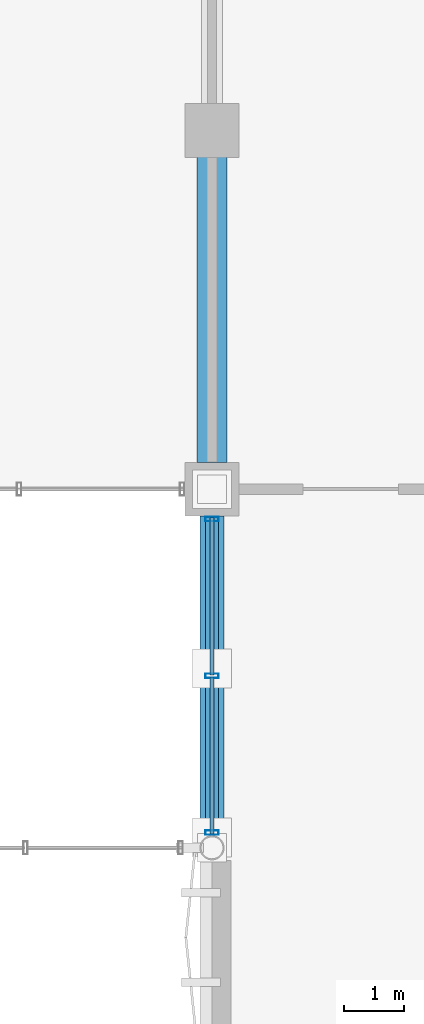
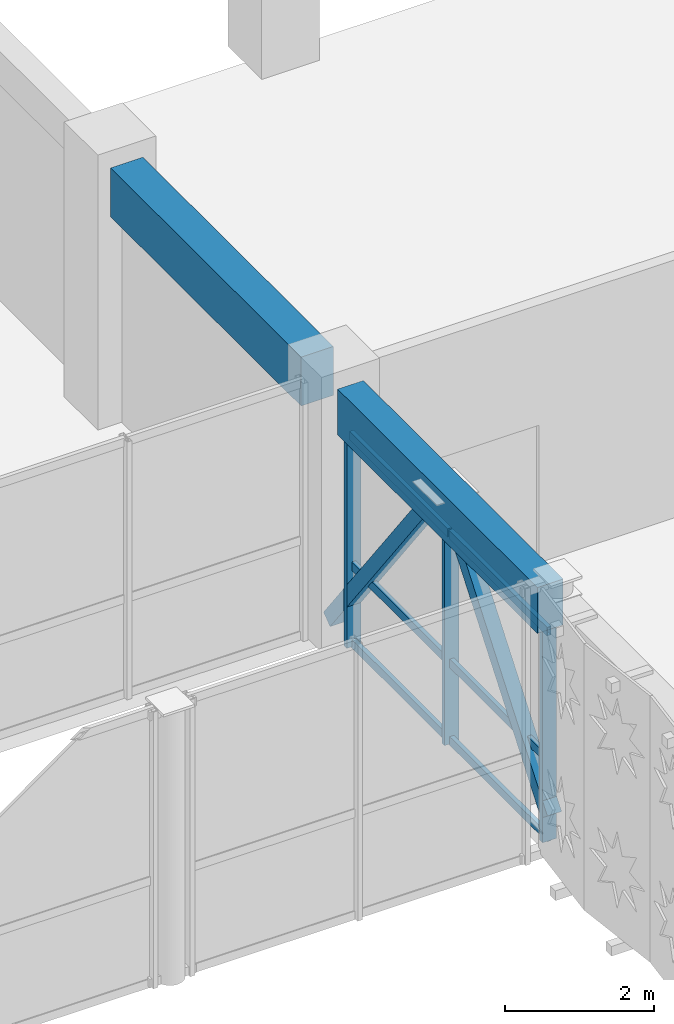
# One storey, part 26 of 133: 11 members, 2 beams, 1 element without a shape of its own.
"""IFC4 building model written with IfcOpenShell, lengths in metres."""

from ifc_helpers import new_model, si_unit, direction, frame, origin, origin_2d, place, context, subcontext, project, spatial, rectangle, hollow_rectangle, extrude, material, material_profile, profile_set, type_object, element, aggregate, save


model = new_model("IFC4")

# Units and contexts
model_context = context("Model", 3, precision=1e-05, world=origin(), true_north=direction((0.0, 1.0)))
body_context = subcontext(model_context, "Body", "Model", "MODEL_VIEW")
ifc_project = project(units=[si_unit("LENGTHUNIT", "METRE"), si_unit("AREAUNIT", "SQUARE_METRE"), si_unit("VOLUMEUNIT", "CUBIC_METRE"), si_unit("PLANEANGLEUNIT", "RADIAN"), si_unit("MASSUNIT", "GRAM", prefix="KILO"), si_unit("THERMODYNAMICTEMPERATUREUNIT", "KELVIN"), si_unit("POWERUNIT", "WATT")], contexts=[model_context])

# Site, building, storey
site_placement = place(None, origin())
site = spatial("IfcSite", under=ifc_project, at=site_placement, CompositionType="ELEMENT")
building_placement = place(site_placement, origin())
building = spatial("IfcBuilding", under=site, at=building_placement, Name="Phaisarnlok Congress Hotel", CompositionType="ELEMENT")
storey_placement = place(building_placement, frame((0.0, 0.0, 6.0)))
storey = spatial("IfcBuildingStorey", under=building, at=storey_placement, Name="L01", CompositionType="ELEMENT", Elevation=6.0)

# Beam
ifc_material_1 = material(Name="Concrete C40/50", Category="concrete")
ifc_material_profile_1 = material_profile(ifc_material_1, rectangle(XDim=0.5, YDim=0.800048828125, at=origin_2d()), Name="RC 500x800")
ifc_profile_set_1 = profile_set([ifc_material_profile_1], Name="Concrete C40/50")
beam_type_1 = type_object("IfcBeamType", Name="BM-RC-500x800", PredefinedType="BEAM", material=ifc_profile_set_1)
beam_1_placement = place(storey_placement, frame((96.0, 24.445068359375, 3.820068359375), z_axis=(0.0, 1.0, 0.0), x_axis=(-1.0, 0.0, 0.0)))
element("IfcBeam", 1, at=beam_1_placement, inside=storey, type_object=beam_type_1, Name="Beam B-04", PredefinedType="BEAM", context=body_context, shape_type="SweptSolid", body=[
    extrude(rectangle(XDim=0.5, YDim=0.800048828125, at=origin_2d()), origin(), (0.0, 0.0, 1.0), 5.10986328125),
])

# Curtain wall, members
ifc_material_2 = material(Name="Thermally Broken Unitised Aluminium & Low-E Glazing", Category="aluminium")
curtain_wall_type = type_object("IfcCurtainWallType", Name="CW-UNIT-10", PredefinedType="NOTDEFINED", material=ifc_material_2)
curtain_wall_placement = place(storey_placement, origin())
curtain_wall = element("IfcCurtainWall", 2, at=curtain_wall_placement, inside=storey, type_object=curtain_wall_type, Name="Unitised curtain wall CW-10 (L01)", PredefinedType="NOTDEFINED")
ifc_material_3 = material(Name="Anodised Aluminium Alloy 6063-T6", Category="aluminium")
ifc_material_profile_2 = material_profile(ifc_material_3, hollow_rectangle(XDim=0.074951171875, YDim=0.219970703125, WallThickness=0.0048828125, at=origin_2d()), Name="ALU-M 75x220x5")
ifc_profile_set_2 = profile_set([ifc_material_profile_2], Name="Anodised Aluminium Alloy 6063-T6")
member_type_1 = type_object("IfcMemberType", Name="CWM-220", PredefinedType="MULLION", material=ifc_profile_set_2)
member_1_placement = place(storey_placement, frame((96.0, 23.5, 0.0), z_axis=(0.0, 0.0, 1.0), x_axis=(0.0, -1.0, 0.0)))
member_1 = element("IfcMember", 3, at=member_1_placement, type_object=member_type_1, Name="Curtain wall mullion CWM-02", PredefinedType="MULLION", context=body_context, shape_type="SweptSolid", body=[
    extrude(hollow_rectangle(XDim=0.074951171875, YDim=0.219970703125, WallThickness=0.0048828125, at=origin_2d()), origin(), (0.0, 0.0, 1.0), 3.469970703125),
])
member_2_placement = place(storey_placement, frame((96.0, 20.876708984375, 0.0), z_axis=(0.0, 0.0, 1.0), x_axis=(0.0, -1.0, 0.0)))
member_2 = element("IfcMember", 4, at=member_2_placement, type_object=member_type_1, Name="Curtain wall mullion CWM-02", PredefinedType="MULLION", context=body_context, shape_type="SweptSolid", body=[
    extrude(hollow_rectangle(XDim=0.074951171875, YDim=0.219970703125, WallThickness=0.0048828125, at=origin_2d()), origin(), (0.0, 0.0, 1.0), 3.469970703125),
])
member_3_placement = place(storey_placement, frame((96.0, 18.253173828125, 0.0), z_axis=(0.0, 0.0, 1.0), x_axis=(0.0, -1.0, 0.0)))
member_3 = element("IfcMember", 5, at=member_3_placement, type_object=member_type_1, Name="Curtain wall mullion CWM-02", PredefinedType="MULLION", context=body_context, shape_type="SweptSolid", body=[
    extrude(hollow_rectangle(XDim=0.074951171875, YDim=0.219970703125, WallThickness=0.0048828125, at=origin_2d()), origin(), (0.0, 0.0, 1.0), 3.469970703125),
])
ifc_material_profile_3 = material_profile(ifc_material_3, hollow_rectangle(XDim=0.06494140625, YDim=0.139892578125, WallThickness=0.00390625, at=origin_2d()), Name="ALU-T 65x140x4")
ifc_profile_set_3 = profile_set([ifc_material_profile_3], Name="Anodised Aluminium Alloy 6063-T6")
member_type_2 = type_object("IfcMemberType", Name="CWT-150", PredefinedType="USERDEFINED", material=ifc_profile_set_3)
member_4_placement = place(storey_placement, frame((96.0, 23.52490234375, 0.050048828125), z_axis=(0.0, -1.0, 0.0), x_axis=(1.0, 0.0, 0.0)))
member_4 = element("IfcMember", 6, at=member_4_placement, type_object=member_type_2, Name="Curtain wall transom CWT-01", ObjectType="TRANSOM", PredefinedType="USERDEFINED", context=body_context, shape_type="SweptSolid", body=[
    extrude(hollow_rectangle(XDim=0.06494140625, YDim=0.139892578125, WallThickness=0.00390625, at=origin_2d()), origin(), (0.0, 0.0, 1.0), 2.63330078125),
])
member_5_placement = place(storey_placement, frame((96.0, 23.52490234375, 1.318603515625), z_axis=(0.0, -1.0, 0.0), x_axis=(1.0, 0.0, 0.0)))
member_5 = element("IfcMember", 7, at=member_5_placement, type_object=member_type_2, Name="Curtain wall transom CWT-01", ObjectType="TRANSOM", PredefinedType="USERDEFINED", context=body_context, shape_type="SweptSolid", body=[
    extrude(hollow_rectangle(XDim=0.06494140625, YDim=0.139892578125, WallThickness=0.00390625, at=origin_2d()), origin(), (0.0, 0.0, 1.0), 2.63330078125),
])
member_6_placement = place(storey_placement, frame((96.0, 23.52490234375, 3.419921875), z_axis=(0.0, -1.0, 0.0), x_axis=(1.0, 0.0, 0.0)))
member_6 = element("IfcMember", 8, at=member_6_placement, type_object=member_type_2, Name="Curtain wall transom CWT-01", ObjectType="TRANSOM", PredefinedType="USERDEFINED", context=body_context, shape_type="SweptSolid", body=[
    extrude(hollow_rectangle(XDim=0.06494140625, YDim=0.139892578125, WallThickness=0.00390625, at=origin_2d()), origin(), (0.0, 0.0, 1.0), 2.63330078125),
])
member_7_placement = place(storey_placement, frame((96.0, 20.861572265625, 0.050048828125), z_axis=(0.0, -1.0, 0.0), x_axis=(1.0, 0.0, 0.0)))
member_7 = element("IfcMember", 9, at=member_7_placement, type_object=member_type_2, Name="Curtain wall transom CWT-01", ObjectType="TRANSOM", PredefinedType="USERDEFINED", context=body_context, shape_type="SweptSolid", body=[
    extrude(hollow_rectangle(XDim=0.06494140625, YDim=0.139892578125, WallThickness=0.00390625, at=origin_2d()), origin(), (0.0, 0.0, 1.0), 2.63330078125),
])
member_8_placement = place(storey_placement, frame((96.0, 20.861572265625, 1.318603515625), z_axis=(0.0, -1.0, 0.0), x_axis=(1.0, 0.0, 0.0)))
member_8 = element("IfcMember", 10, at=member_8_placement, type_object=member_type_2, Name="Curtain wall transom CWT-01", ObjectType="TRANSOM", PredefinedType="USERDEFINED", context=body_context, shape_type="SweptSolid", body=[
    extrude(hollow_rectangle(XDim=0.06494140625, YDim=0.139892578125, WallThickness=0.00390625, at=origin_2d()), origin(), (0.0, 0.0, 1.0), 2.63330078125),
])
member_9_placement = place(storey_placement, frame((96.0, 20.861572265625, 3.419921875), z_axis=(0.0, -1.0, 0.0), x_axis=(1.0, 0.0, 0.0)))
member_9 = element("IfcMember", 11, at=member_9_placement, type_object=member_type_2, Name="Curtain wall transom CWT-01", ObjectType="TRANSOM", PredefinedType="USERDEFINED", context=body_context, shape_type="SweptSolid", body=[
    extrude(hollow_rectangle(XDim=0.06494140625, YDim=0.139892578125, WallThickness=0.00390625, at=origin_2d()), origin(), (0.0, 0.0, 1.0), 2.63330078125),
])
aggregate(curtain_wall, [member_1, member_2, member_3, member_4, member_5, member_6, member_7, member_8, member_9])

# Members
ifc_material_4 = material(Name="Steel S355", Category="steel")
ifc_material_profile_4 = material_profile(ifc_material_4, hollow_rectangle(XDim=0.219970703125, YDim=0.219970703125, WallThickness=0.012451171875, at=origin_2d()), Name="SHS 220x220x12.5")
ifc_profile_set_4 = profile_set([ifc_material_profile_4], Name="Steel S355")
member_type_3 = type_object("IfcMemberType", Name="MEM-BRC-SHS220", PredefinedType="BRACE", material=ifc_profile_set_4)
member_10_placement = place(storey_placement, frame((96.0, 18.169921875, 0.449951171875), z_axis=(0.0, 0.612735944982, 0.790287708197), x_axis=(-1.0, 0.0, 0.0)))
element("IfcMember", 12, at=member_10_placement, inside=storey, type_object=member_type_3, Name="Lateral braced frame diagonal", PredefinedType="BRACE", context=body_context, shape_type="SweptSolid", body=[
    extrude(hollow_rectangle(XDim=0.219970703125, YDim=0.219970703125, WallThickness=0.012451171875, at=origin_2d()), origin(), (0.0, 0.0, 1.0), 4.61865234375),
])
member_11_placement = place(storey_placement, frame((96.0, 24.0, 0.14990234375), z_axis=(0.0, -0.604808680836, 0.796370805332), x_axis=(1.0, 0.0, 0.0)))
element("IfcMember", 13, at=member_11_placement, inside=storey, type_object=member_type_3, Name="Lateral braced frame diagonal", PredefinedType="BRACE", context=body_context, shape_type="SweptSolid", body=[
    extrude(hollow_rectangle(XDim=0.219970703125, YDim=0.219970703125, WallThickness=0.012451171875, at=origin_2d()), origin(), (0.0, 0.0, 1.0), 4.960205078125),
])

# Beam
ifc_material_profile_5 = material_profile(ifc_material_1, rectangle(XDim=0.39990234375, YDim=0.75, at=origin_2d()), Name="RC 400x750")
ifc_profile_set_5 = profile_set([ifc_material_profile_5], Name="Concrete C40/50")
beam_type_2 = type_object("IfcBeamType", Name="SP-RC-400x750", PredefinedType="SPANDREL", material=ifc_profile_set_5)
beam_2_placement = place(storey_placement, frame((96.0, 18.1982421875, 3.844970703125), z_axis=(0.0, 1.0, 0.0), x_axis=(-1.0, 0.0, 0.0)))
element("IfcBeam", 14, at=beam_2_placement, inside=storey, type_object=beam_type_2, Name="Beam SP-02", PredefinedType="SPANDREL", context=body_context, shape_type="SweptSolid", body=[
    extrude(rectangle(XDim=0.39990234375, YDim=0.75, at=origin_2d()), origin(), (0.0, 0.0, 1.0), 5.356689453125),
])

save(model, "model.ifc")
